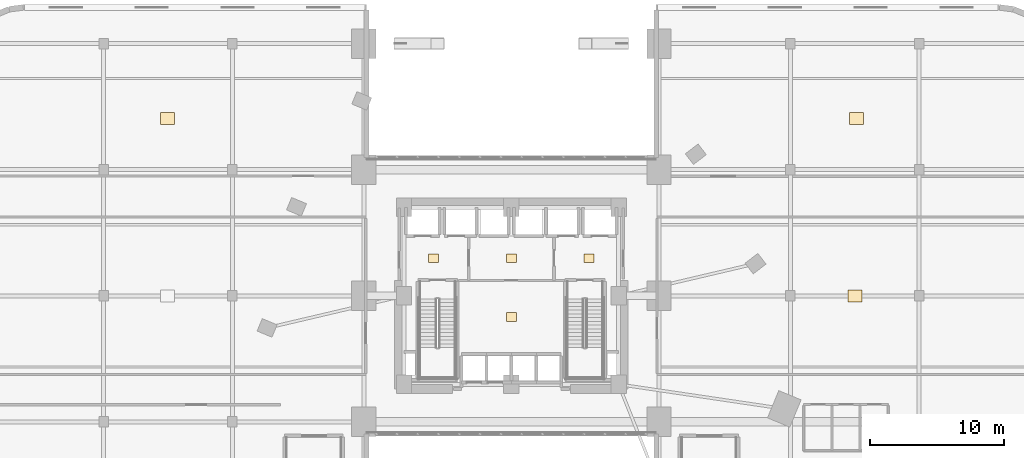
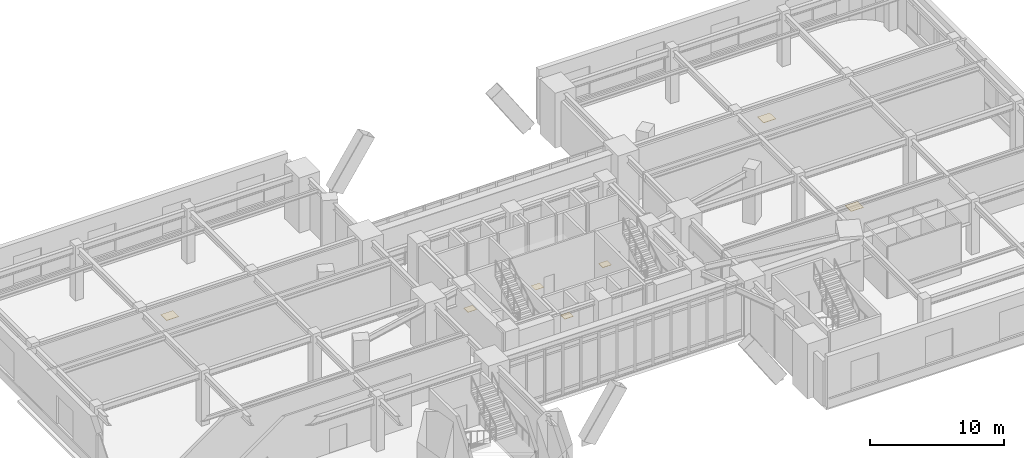
# One storey, part 26 of 26: 7 coverings.
"""IFC4 building model written with IfcOpenShell, lengths in metres."""

from ifc_helpers import new_model, si_unit, direction, frame, origin, origin_2d, place, context, subcontext, project, spatial, rectangle, extrude, material, layer, layer_set, type_object, element, save


model = new_model("IFC4")

# Units and contexts
model_context = context("Model", 3, precision=1e-05, world=origin(), true_north=direction((0.0, 1.0)))
body_context = subcontext(model_context, "Body", "Model", "MODEL_VIEW")
ifc_project = project(units=[si_unit("LENGTHUNIT", "METRE"), si_unit("AREAUNIT", "SQUARE_METRE"), si_unit("VOLUMEUNIT", "CUBIC_METRE"), si_unit("PLANEANGLEUNIT", "RADIAN"), si_unit("MASSUNIT", "GRAM", prefix="KILO")], contexts=[model_context])

# Site, building, storey
site_placement = place(None, origin())
site = spatial("IfcSite", under=ifc_project, at=site_placement, CompositionType="ELEMENT")
building_placement = place(site_placement, origin())
building = spatial("IfcBuilding", under=site, at=building_placement, Name="Ndelora Gate Hotel", CompositionType="ELEMENT")
storey_placement = place(building_placement, frame((0.0, 0.0, 6.0)))
storey = spatial("IfcBuildingStorey", under=building, at=storey_placement, Name="L01", CompositionType="ELEMENT", Elevation=6.0)

# Coverings
ifc_material_1 = material(Name="Engineered Highland Oak Parquet", Category="wood")
ifc_layer_1 = layer(ifc_material_1, 0.030029296875)
ifc_layer_set_1 = layer_set([ifc_layer_1], Name="Engineered Highland Oak Parquet")
covering_type_1 = type_object("IfcCoveringType", Name="COV-FLR-PARQ", PredefinedType="FLOORING", material=ifc_layer_set_1)
for number, where, z_axis, x_axis, name in (
    (1, (-25.625, 13.228759765625, 0.0), (0.0, 0.0, 1.0), (1.0, 0.0, 0.0), "L01 North-West Reading Library Oak Parquet Flooring"),
    (2, (25.625, 0.0, 0.0), (0.0, 0.0, 1.0), (1.0, 0.0, 0.0), "L01 East Mezzanine Dining Hall Oak Parquet Flooring"),
    (3, (25.72509765625, 13.228759765625, 0.0), (0.0, 0.0, 1.0), (1.0, 0.0, 0.0), "L01 Main Culinary Production Kitchen Oak Parquet Flooring"),
):
    element("IfcCovering", number, at=place(storey_placement, frame(where, z_axis=z_axis, x_axis=x_axis)), inside=storey, type_object=covering_type_1, Name=name, PredefinedType="FLOORING", context=body_context, shape_type="SweptSolid", body=[
        extrude(rectangle(XDim=1.050048828125, YDim=0.89990234375, at=origin_2d()), origin(), (0.0, 0.0, 1.0), 0.030029296875),
    ])
ifc_material_2 = material(Name="Non-Slip Porcelain Wet-Room Tile", Category="ceramic")
ifc_layer_2 = layer(ifc_material_2, 0.02490234375)
ifc_layer_set_2 = layer_set([ifc_layer_2], Name="Non-Slip Porcelain Wet-Room Tile")
covering_type_2 = type_object("IfcCoveringType", Name="COV-FLR-TILE", PredefinedType="FLOORING", material=ifc_layer_set_2)
for number, where, z_axis, x_axis, name in (
    (4, (-5.800048828125, 2.800048828125, 0.0), (0.0, 0.0, 1.0), (1.0, 0.0, 0.0), "L01 Firefighting Lift Lobby West Porcelain Tile Flooring"),
    (5, (5.800048828125, 2.800048828125, 0.0), (0.0, 0.0, 1.0), (1.0, 0.0, 0.0), "L01 Firefighting Lift Lobby East Porcelain Tile Flooring"),
    (6, (0.0, 2.800048828125, 0.0), (0.0, 0.0, 1.0), (1.0, 0.0, 0.0), "L01 Central Passenger Lift Lobby Porcelain Tile Flooring"),
    (7, (0.0, -1.574951171875, 0.0), (0.0, 0.0, 1.0), (1.0, 0.0, 0.0), "L01 Core Electrical and Linen Service Store Porcelain Tile Flooring"),
):
    element("IfcCovering", number, at=place(storey_placement, frame(where, z_axis=z_axis, x_axis=x_axis)), inside=storey, type_object=covering_type_2, Name=name, PredefinedType="FLOORING", context=body_context, shape_type="SweptSolid", body=[
        extrude(rectangle(XDim=0.75, YDim=0.64990234375, at=origin_2d()), origin(), (0.0, 0.0, 1.0), 0.02490234375),
    ])

save(model, "model.ifc")
